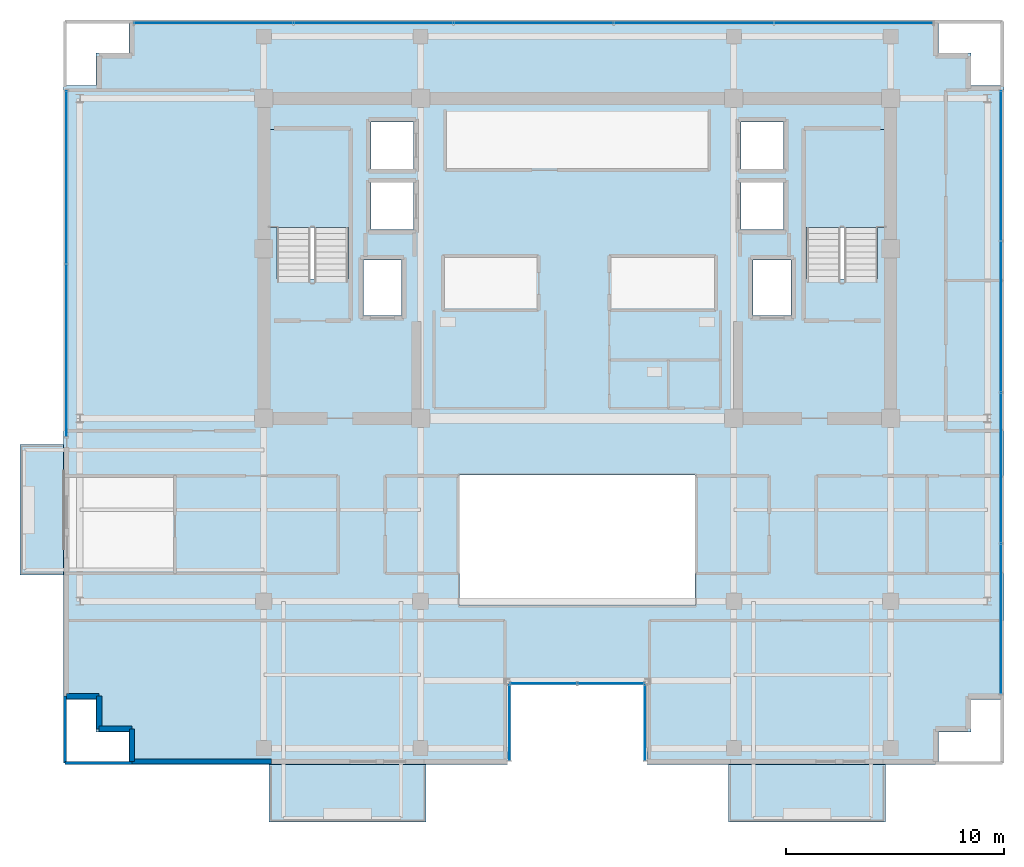
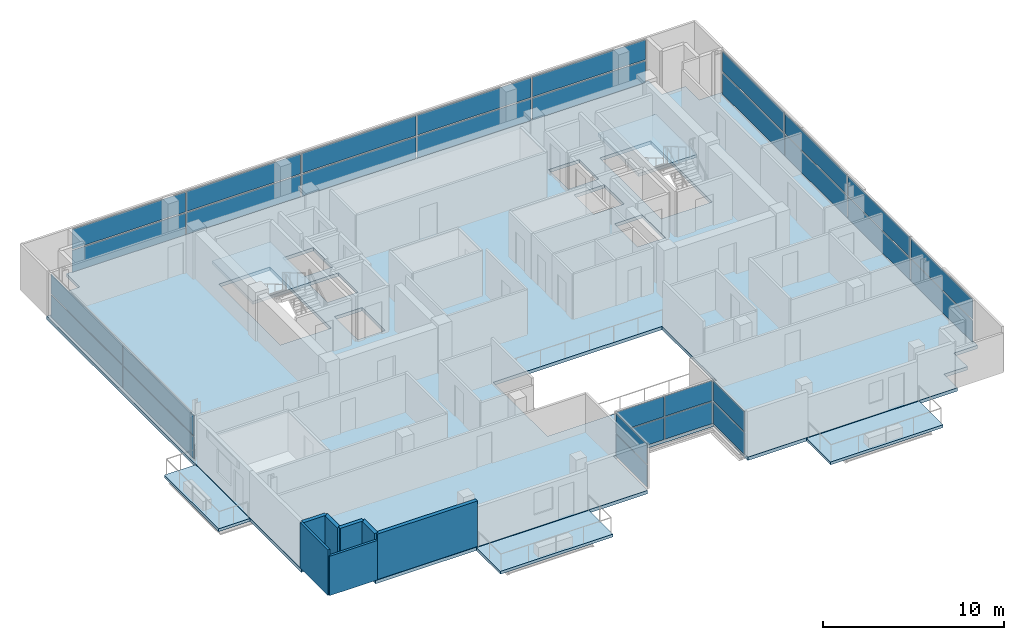
# One storey, part 14 of 22: 30 plates, 7 walls, 6 slabs, 8 elements without a shape of their own.
"""IFC4 building model written with IfcOpenShell, lengths in metres."""

from ifc_helpers import new_model, si_unit, direction, frame, frame_2d, origin, origin_2d, place, context, subcontext, project, spatial, polyline, rectangle, outline, extrude, source, transform, mapped, material, layer, layer_set, type_object, element, aggregate, save


model = new_model("IFC4")

# Units and contexts
model_context = context("Model", 3, precision=1e-05, world=origin(), true_north=direction((0.0, 1.0)))
body_context = subcontext(model_context, "Body", "Model", "MODEL_VIEW")
ifc_project = project(units=[si_unit("LENGTHUNIT", "METRE"), si_unit("AREAUNIT", "SQUARE_METRE"), si_unit("VOLUMEUNIT", "CUBIC_METRE"), si_unit("PLANEANGLEUNIT", "RADIAN"), si_unit("MASSUNIT", "GRAM", prefix="KILO")], contexts=[model_context])

# Site, building, storey
site_placement = place(None, origin())
site = spatial("IfcSite", under=ifc_project, at=site_placement, CompositionType="ELEMENT")
building_placement = place(site_placement, origin())
building = spatial("IfcBuilding", under=site, at=building_placement, Name="Zarnakvel Exchange Tower", CompositionType="ELEMENT")
storey_placement = place(building_placement, frame((0.0, 0.0, 215.5)))
storey = spatial("IfcBuildingStorey", under=building, at=storey_placement, Name="L60", CompositionType="ELEMENT", Elevation=215.5)

# Stair, slab
ifc_material_1 = material(Name="Concrete C40/50", Category="concrete")
stair_type = type_object("IfcStairType", Name="STR-01", PredefinedType="HALF_TURN_STAIR", material=ifc_material_1)
stair_1_placement = place(storey_placement, origin())
stair_1 = element("IfcStair", 1, at=stair_1_placement, inside=storey, type_object=stair_type, Name="L60 Protected Core Exit Stair ST-01", PredefinedType="HALF_TURN_STAIR")
ifc_layer_1 = layer(ifc_material_1, 0.199951171875)
ifc_layer_set_1 = layer_set([ifc_layer_1], Name="Concrete C40/50")
slab_type_1 = type_object("IfcSlabType", Name="LDG-01", PredefinedType="LANDING", material=ifc_layer_set_1)
slab_1_placement = place(storey_placement, frame((0.0, 0.0, 1.449951171875)))
slab_1 = element("IfcSlab", 2, at=slab_1_placement, type_object=slab_type_1, Name="ST-01 landing 1", PredefinedType="LANDING", context=body_context, shape_type="SweptSolid", body=[
    extrude(outline(polyline([(-14.18994140625, 7.570068359375), (-10.4599609375, 7.570068359375), (-10.4599609375, 12.080078125), (-14.18994140625, 12.080078125), (-14.18994140625, 7.570068359375)])), origin(), (0.0, 0.0, 1.0), 0.199951171875),
])
aggregate(stair_1, [slab_1])

stair_2_placement = place(storey_placement, origin())
stair_2 = element("IfcStair", 3, at=stair_2_placement, inside=storey, type_object=stair_type, Name="L60 Protected Core Exit Stair ST-02", PredefinedType="HALF_TURN_STAIR")
slab_2_placement = place(storey_placement, frame((0.0, 0.0, 1.449951171875)))
slab_2 = element("IfcSlab", 4, at=slab_2_placement, type_object=slab_type_1, Name="ST-02 landing 1", PredefinedType="LANDING", context=body_context, shape_type="SweptSolid", body=[
    extrude(outline(polyline([(10.4599609375, 7.570068359375), (14.18994140625, 7.570068359375), (14.18994140625, 12.080078125), (10.4599609375, 12.080078125), (10.4599609375, 7.570068359375)])), origin(), (0.0, 0.0, 1.0), 0.199951171875),
])
aggregate(stair_2, [slab_2])

# Slabs
ifc_layer_2 = layer(ifc_material_1, 0.22509765625)
ifc_layer_set_2 = layer_set([ifc_layer_2], Name="Concrete C40/50")
slab_type_2 = type_object("IfcSlabType", Name="SL-04", PredefinedType="FLOOR", material=ifc_layer_set_2)
slab_3_placement = place(storey_placement, frame((0.0, 0.0, -0.22509765625)))
element("IfcSlab", 5, at=slab_3_placement, inside=storey, type_object=slab_type_2, Name="L60 Primary Structural Floor Slab", PredefinedType="FLOOR", context=body_context, shape_type="SweptSolid", body=[
    extrude(outline(polyline([(-23.60009765625, -14.10009765625), (-22.10009765625, -14.10009765625), (-22.10009765625, -15.60009765625), (-20.60009765625, -15.60009765625), (-20.60009765625, -17.10009765625), (-3.199951171875, -17.10009765625), (-3.199951171875, -13.300048828125), (3.199951171875, -13.300048828125), (3.199951171875, -17.10009765625), (16.60009765625, -17.10009765625), (16.60009765625, -15.60009765625), (18.10009765625, -15.60009765625), (18.10009765625, -14.10009765625), (19.60009765625, -14.10009765625), (19.60009765625, 14.10009765625), (18.10009765625, 14.10009765625), (18.10009765625, 15.60009765625), (16.60009765625, 15.60009765625), (16.60009765625, 17.10009765625), (-20.60009765625, 17.10009765625), (-20.60009765625, 15.60009765625), (-22.10009765625, 15.60009765625), (-22.10009765625, 14.10009765625), (-23.60009765625, 14.10009765625), (-23.60009765625, -14.10009765625)]), holes=[polyline([(-5.39990234375, -9.800048828125), (5.39990234375, -9.800048828125), (5.39990234375, -3.800048828125), (-5.39990234375, -3.800048828125), (-5.39990234375, -9.800048828125)]), polyline([(-13.800048828125, 5.2099609375), (-10.5400390625, 5.2099609375), (-10.5400390625, 12.0), (-13.800048828125, 12.0), (-13.800048828125, 5.2099609375)]), polyline([(10.5400390625, 5.2099609375), (13.800048828125, 5.2099609375), (13.800048828125, 12.0), (10.5400390625, 12.0), (10.5400390625, 5.2099609375)]), polyline([(-9.830078125, 3.52001953125), (-8.070068359375, 3.52001953125), (-8.070068359375, 6.080078125), (-9.830078125, 6.080078125), (-9.830078125, 3.52001953125)]), polyline([(8.070068359375, 3.52001953125), (9.830078125, 3.52001953125), (9.830078125, 6.080078125), (8.070068359375, 6.080078125), (8.070068359375, 3.52001953125)]), polyline([(-9.47998046875, 7.469970703125), (-7.52001953125, 7.469970703125), (-7.52001953125, 9.6298828125), (-9.47998046875, 9.6298828125), (-9.47998046875, 7.469970703125)]), polyline([(-9.47998046875, 10.27001953125), (-7.52001953125, 10.27001953125), (-7.52001953125, 12.429931640625), (-9.47998046875, 12.429931640625), (-9.47998046875, 10.27001953125)]), polyline([(7.52001953125, 7.469970703125), (9.47998046875, 7.469970703125), (9.47998046875, 9.6298828125), (7.52001953125, 9.6298828125), (7.52001953125, 7.469970703125)]), polyline([(7.52001953125, 10.27001953125), (9.47998046875, 10.27001953125), (9.47998046875, 12.429931640625), (7.52001953125, 12.429931640625), (7.52001953125, 10.27001953125)])]), origin(), (0.0, 0.0, 1.0), 0.22509765625),
])
ifc_layer_3 = layer(ifc_material_1, 0.18994140625)
ifc_layer_set_3 = layer_set([ifc_layer_3], Name="Concrete C40/50")
slab_type_3 = type_object("IfcSlabType", Name="SL-08", PredefinedType="USERDEFINED", material=ifc_layer_set_3)
slab_4_placement = place(storey_placement, frame((0.0, 0.0, -0.22509765625)))
element("IfcSlab", 6, at=slab_4_placement, inside=storey, type_object=slab_type_3, Name="L60 Planted Loggia Balcony Slab BAL-L60-SW", ObjectType="BALCONY", PredefinedType="USERDEFINED", context=body_context, shape_type="SweptSolid", body=[
    extrude(outline(polyline([(-14.14990234375, -19.75), (-6.949951171875, -19.75), (-6.949951171875, -17.10009765625), (-14.14990234375, -17.10009765625), (-14.14990234375, -19.75)])), origin(), (0.0, 0.0, 1.0), 0.190185546875),
])
slab_5_placement = place(storey_placement, frame((0.0, 0.0, -0.22509765625)))
element("IfcSlab", 7, at=slab_5_placement, inside=storey, type_object=slab_type_3, Name="L60 Planted Loggia Balcony Slab BAL-L60-SE", ObjectType="BALCONY", PredefinedType="USERDEFINED", context=body_context, shape_type="SweptSolid", body=[
    extrude(outline(polyline([(6.949951171875, -19.75), (14.14990234375, -19.75), (14.14990234375, -17.10009765625), (6.949951171875, -17.10009765625), (6.949951171875, -19.75)])), origin(), (0.0, 0.0, 1.0), 0.190185546875),
])
slab_6_placement = place(storey_placement, frame((0.0, 0.0, -0.22509765625)))
element("IfcSlab", 8, at=slab_6_placement, inside=storey, type_object=slab_type_3, Name="L60 Planted Loggia Balcony Slab BAL-L60-W", ObjectType="BALCONY", PredefinedType="USERDEFINED", context=body_context, shape_type="SweptSolid", body=[
    extrude(outline(polyline([(-25.60009765625, -8.39990234375), (-23.60009765625, -8.39990234375), (-23.60009765625, -2.39990234375), (-25.60009765625, -2.39990234375), (-25.60009765625, -8.39990234375)])), origin(), (0.0, 0.0, 1.0), 0.190185546875),
])

# Curtain wall, plate
ifc_material_2 = material(Name="Architectural Bronze Anodised Aluminium", Category="aluminium")
ifc_layer_4 = layer(ifc_material_2, 0.179931640625)
ifc_layer_set_4 = layer_set([ifc_layer_4], Name="Architectural Bronze Anodised Aluminium")
curtain_wall_type_1 = type_object("IfcCurtainWallType", Name="CW-05", PredefinedType="NOTDEFINED", material=ifc_layer_set_4)
curtain_wall_1_placement = place(storey_placement, origin())
curtain_wall_1 = element("IfcCurtainWall", 9, at=curtain_wall_1_placement, inside=storey, type_object=curtain_wall_type_1, Name="L60 Curtain Wall CW-L60-SLW (CW-05)", PredefinedType="NOTDEFINED")
ifc_material_3 = material(Name="Double Low-E Laminated Vision Glass", Category="glass")
ifc_layer_5 = layer(ifc_material_3, 0.02587890625)
ifc_layer_set_5 = layer_set([ifc_layer_5], Name="Double Low-E Laminated Vision Glass")
plate_type_1 = type_object("IfcPlateType", Name="CWP-05", PredefinedType="CURTAIN_PANEL", material=ifc_layer_set_5)
shared_shape_1 = source(origin(), body_context, "Body", "SweptSolid", [
    extrude(rectangle(XDim=3.4599609375, YDim=0.02587890625, at=origin_2d()), origin(), (0.0, 0.0, 1.0), 1.483642578125),
])
plate_1_placement = place(storey_placement, frame((-3.1201171875, -15.179931640625, 0.06982421875), z_axis=(0.0, 0.0, 1.0), x_axis=(0.0, 1.0, 0.0)))
plate_1 = element("IfcPlate", 10, at=plate_1_placement, type_object=plate_type_1, Name="CW-05 panel 1.1", PredefinedType="CURTAIN_PANEL", context=body_context, shape_type="MappedRepresentation", body=[
    mapped(shared_shape_1, transform((0.0, 0.0, 0.0), x_axis=(1.0, 0.0, 0.0), y_axis=(0.0, 1.0, 0.0), z_axis=(0.0, 0.0, 1.0), scale=1.0)),
])

curtain_wall_2_placement = place(storey_placement, origin())
curtain_wall_2 = element("IfcCurtainWall", 11, at=curtain_wall_2_placement, inside=storey, type_object=curtain_wall_type_1, Name="L60 Curtain Wall CW-L60-SLE (CW-05)", PredefinedType="NOTDEFINED")
plate_2_placement = place(storey_placement, frame((3.1201171875, -15.179931640625, 0.06982421875), z_axis=(0.0, 0.0, 1.0), x_axis=(0.0, -1.0, 0.0)))
plate_2 = element("IfcPlate", 12, at=plate_2_placement, type_object=plate_type_1, Name="CW-05 panel 1.1", PredefinedType="CURTAIN_PANEL", context=body_context, shape_type="MappedRepresentation", body=[
    mapped(shared_shape_1, transform((0.0, 0.0, 0.0), x_axis=(1.0, 0.0, 0.0), y_axis=(0.0, 1.0, 0.0), z_axis=(0.0, 0.0, 1.0), scale=1.0)),
])

# Plate
shared_shape_2 = source(origin(), body_context, "Body", "SweptSolid", [
    extrude(rectangle(XDim=3.4599609375, YDim=0.02587890625, at=origin_2d()), origin(), (0.0, 0.0, 1.0), 1.361328125),
])
plate_3_placement = place(storey_placement, frame((-3.1201171875, -15.179931640625, 1.62353515625), z_axis=(0.0, 0.0, 1.0), x_axis=(0.0, 1.0, 0.0)))
plate_3 = element("IfcPlate", 13, at=plate_3_placement, type_object=plate_type_1, Name="CW-05 panel 1.2", PredefinedType="CURTAIN_PANEL", context=body_context, shape_type="MappedRepresentation", body=[
    mapped(shared_shape_2, transform((0.0, 0.0, 0.0), x_axis=(1.0, 0.0, 0.0), y_axis=(0.0, 1.0, 0.0), z_axis=(0.0, 0.0, 1.0), scale=1.0)),
])

aggregate(curtain_wall_1, [plate_1, plate_3])

plate_4_placement = place(storey_placement, frame((3.1201171875, -15.179931640625, 1.62353515625), z_axis=(0.0, 0.0, 1.0), x_axis=(0.0, -1.0, 0.0)))
plate_4 = element("IfcPlate", 14, at=plate_4_placement, type_object=plate_type_1, Name="CW-05 panel 1.2", PredefinedType="CURTAIN_PANEL", context=body_context, shape_type="MappedRepresentation", body=[
    mapped(shared_shape_2, transform((0.0, 0.0, 0.0), x_axis=(1.0, 0.0, 0.0), y_axis=(0.0, 1.0, 0.0), z_axis=(0.0, 0.0, 1.0), scale=1.0)),
])

aggregate(curtain_wall_2, [plate_2, plate_4])

# Curtain wall, plates
curtain_wall_3_placement = place(storey_placement, origin())
curtain_wall_3 = element("IfcCurtainWall", 15, at=curtain_wall_3_placement, inside=storey, type_object=curtain_wall_type_1, Name="L60 Curtain Wall CW-L60-SLB (CW-05)", PredefinedType="NOTDEFINED")
shared_shape_3 = source(origin(), body_context, "Body", "SweptSolid", [
    extrude(rectangle(XDim=3.014892578125, YDim=0.02587890625, at=origin_2d()), origin(), (0.0, 0.0, 1.0), 1.483642578125),
])
plate_5_placement = place(storey_placement, frame((-1.54248046875, -13.3798828125, 0.06982421875), z_axis=(0.0, 0.0, 1.0), x_axis=(1.0, 0.0, 0.0)))
plate_5 = element("IfcPlate", 16, at=plate_5_placement, type_object=plate_type_1, Name="CW-05 panel 1.1", PredefinedType="CURTAIN_PANEL", context=body_context, shape_type="MappedRepresentation", body=[
    mapped(shared_shape_3, transform((0.0, 0.0, 0.0), x_axis=(1.0, 0.0, 0.0), y_axis=(0.0, 1.0, 0.0), z_axis=(0.0, 0.0, 1.0), scale=1.0)),
])
plate_6_placement = place(storey_placement, frame((1.54248046875, -13.3798828125, 0.06982421875), z_axis=(0.0, 0.0, 1.0), x_axis=(1.0, 0.0, 0.0)))
plate_6 = element("IfcPlate", 17, at=plate_6_placement, type_object=plate_type_1, Name="CW-05 panel 2.1", PredefinedType="CURTAIN_PANEL", context=body_context, shape_type="MappedRepresentation", body=[
    mapped(shared_shape_3, transform((0.0, 0.0, 0.0), x_axis=(1.0, 0.0, 0.0), y_axis=(0.0, 1.0, 0.0), z_axis=(0.0, 0.0, 1.0), scale=1.0)),
])
shared_shape_4 = source(origin(), body_context, "Body", "SweptSolid", [
    extrude(rectangle(XDim=3.014892578125, YDim=0.02587890625, at=origin_2d()), origin(), (0.0, 0.0, 1.0), 1.361328125),
])
plate_7_placement = place(storey_placement, frame((-1.54248046875, -13.3798828125, 1.62353515625), z_axis=(0.0, 0.0, 1.0), x_axis=(1.0, 0.0, 0.0)))
plate_7 = element("IfcPlate", 18, at=plate_7_placement, type_object=plate_type_1, Name="CW-05 panel 1.2", PredefinedType="CURTAIN_PANEL", context=body_context, shape_type="MappedRepresentation", body=[
    mapped(shared_shape_4, transform((0.0, 0.0, 0.0), x_axis=(1.0, 0.0, 0.0), y_axis=(0.0, 1.0, 0.0), z_axis=(0.0, 0.0, 1.0), scale=1.0)),
])
plate_8_placement = place(storey_placement, frame((1.54248046875, -13.3798828125, 1.62353515625), z_axis=(0.0, 0.0, 1.0), x_axis=(1.0, 0.0, 0.0)))
plate_8 = element("IfcPlate", 19, at=plate_8_placement, type_object=plate_type_1, Name="CW-05 panel 2.2", PredefinedType="CURTAIN_PANEL", context=body_context, shape_type="MappedRepresentation", body=[
    mapped(shared_shape_4, transform((0.0, 0.0, 0.0), x_axis=(1.0, 0.0, 0.0), y_axis=(0.0, 1.0, 0.0), z_axis=(0.0, 0.0, 1.0), scale=1.0)),
])
aggregate(curtain_wall_3, [plate_5, plate_7, plate_6, plate_8])

ifc_layer_6 = layer(ifc_material_2, 0.199951171875)
ifc_layer_set_6 = layer_set([ifc_layer_6], Name="Architectural Bronze Anodised Aluminium")
curtain_wall_type_2 = type_object("IfcCurtainWallType", Name="CW-04", PredefinedType="NOTDEFINED", material=ifc_layer_set_6)
curtain_wall_4_placement = place(storey_placement, origin())
curtain_wall_4 = element("IfcCurtainWall", 20, at=curtain_wall_4_placement, inside=storey, type_object=curtain_wall_type_2, Name="L60 Curtain Wall CW-L60-E1 (CW-04)", PredefinedType="NOTDEFINED")
ifc_layer_7 = layer(ifc_material_3, 0.028076171875)
ifc_layer_set_7 = layer_set([ifc_layer_7], Name="Double Low-E Laminated Vision Glass")
plate_type_2 = type_object("IfcPlateType", Name="CWP-04", PredefinedType="CURTAIN_PANEL", material=ifc_layer_set_7)
shared_shape_5 = source(origin(), body_context, "Body", "SweptSolid", [
    extrude(rectangle(XDim=6.83740234375, YDim=0.028076171875, at=origin_2d()), origin(), (0.0, 0.0, 1.0), 1.47607421875),
])
plate_9_placement = place(storey_placement, frame((19.4599609375, -10.40625, 0.074951171875), z_axis=(0.0, 0.0, 1.0), x_axis=(0.0, 1.0, 0.0)))
plate_9 = element("IfcPlate", 21, at=plate_9_placement, type_object=plate_type_2, Name="CW-04 panel 1.1", PredefinedType="CURTAIN_PANEL", context=body_context, shape_type="MappedRepresentation", body=[
    mapped(shared_shape_5, transform((0.0, 0.0, 0.0), x_axis=(1.0, 0.0, 0.0), y_axis=(0.0, 1.0, 0.0), z_axis=(0.0, 0.0, 1.0), scale=1.0)),
])
plate_10_placement = place(storey_placement, frame((19.4599609375, 10.40625, 0.074951171875), z_axis=(0.0, 0.0, 1.0), x_axis=(0.0, 1.0, 0.0)))
plate_10 = element("IfcPlate", 22, at=plate_10_placement, type_object=plate_type_2, Name="CW-04 panel 4.1", PredefinedType="CURTAIN_PANEL", context=body_context, shape_type="MappedRepresentation", body=[
    mapped(shared_shape_5, transform((0.0, 0.0, 0.0), x_axis=(1.0, 0.0, 0.0), y_axis=(0.0, 1.0, 0.0), z_axis=(0.0, 0.0, 1.0), scale=1.0)),
])
shared_shape_6 = source(origin(), body_context, "Body", "SweptSolid", [
    extrude(rectangle(XDim=6.83740234375, YDim=0.028076171875, at=origin_2d()), origin(), (0.0, 0.0, 1.0), 1.35400390625),
])
plate_11_placement = place(storey_placement, frame((19.4599609375, -10.40625, 1.6259765625), z_axis=(0.0, 0.0, 1.0), x_axis=(0.0, 1.0, 0.0)))
plate_11 = element("IfcPlate", 23, at=plate_11_placement, type_object=plate_type_2, Name="CW-04 panel 1.2", PredefinedType="CURTAIN_PANEL", context=body_context, shape_type="MappedRepresentation", body=[
    mapped(shared_shape_6, transform((0.0, 0.0, 0.0), x_axis=(1.0, 0.0, 0.0), y_axis=(0.0, 1.0, 0.0), z_axis=(0.0, 0.0, 1.0), scale=1.0)),
])
plate_12_placement = place(storey_placement, frame((19.4599609375, 10.40625, 1.6259765625), z_axis=(0.0, 0.0, 1.0), x_axis=(0.0, 1.0, 0.0)))
plate_12 = element("IfcPlate", 24, at=plate_12_placement, type_object=plate_type_2, Name="CW-04 panel 4.2", PredefinedType="CURTAIN_PANEL", context=body_context, shape_type="MappedRepresentation", body=[
    mapped(shared_shape_6, transform((0.0, 0.0, 0.0), x_axis=(1.0, 0.0, 0.0), y_axis=(0.0, 1.0, 0.0), z_axis=(0.0, 0.0, 1.0), scale=1.0)),
])
shared_shape_7 = source(origin(), body_context, "Body", "SweptSolid", [
    extrude(rectangle(XDim=6.875, YDim=0.028076171875, at=origin_2d()), origin(), (0.0, 0.0, 1.0), 1.47607421875),
])
plate_13_placement = place(storey_placement, frame((19.4599609375, -3.47509765625, 0.074951171875), z_axis=(0.0, 0.0, 1.0), x_axis=(0.0, 1.0, 0.0)))
plate_13 = element("IfcPlate", 25, at=plate_13_placement, type_object=plate_type_2, Name="CW-04 panel 2.1", PredefinedType="CURTAIN_PANEL", context=body_context, shape_type="MappedRepresentation", body=[
    mapped(shared_shape_7, transform((0.0, 0.0, 0.0), x_axis=(1.0, 0.0, 0.0), y_axis=(0.0, 1.0, 0.0), z_axis=(0.0, 0.0, 1.0), scale=1.0)),
])
plate_14_placement = place(storey_placement, frame((19.4599609375, 3.47509765625, 0.074951171875), z_axis=(0.0, 0.0, 1.0), x_axis=(0.0, 1.0, 0.0)))
plate_14 = element("IfcPlate", 26, at=plate_14_placement, type_object=plate_type_2, Name="CW-04 panel 3.1", PredefinedType="CURTAIN_PANEL", context=body_context, shape_type="MappedRepresentation", body=[
    mapped(shared_shape_7, transform((0.0, 0.0, 0.0), x_axis=(1.0, 0.0, 0.0), y_axis=(0.0, 1.0, 0.0), z_axis=(0.0, 0.0, 1.0), scale=1.0)),
])
shared_shape_8 = source(origin(), body_context, "Body", "SweptSolid", [
    extrude(rectangle(XDim=6.875, YDim=0.028076171875, at=origin_2d()), origin(), (0.0, 0.0, 1.0), 1.35400390625),
])
plate_15_placement = place(storey_placement, frame((19.4599609375, -3.47509765625, 1.6259765625), z_axis=(0.0, 0.0, 1.0), x_axis=(0.0, 1.0, 0.0)))
plate_15 = element("IfcPlate", 27, at=plate_15_placement, type_object=plate_type_2, Name="CW-04 panel 2.2", PredefinedType="CURTAIN_PANEL", context=body_context, shape_type="MappedRepresentation", body=[
    mapped(shared_shape_8, transform((0.0, 0.0, 0.0), x_axis=(1.0, 0.0, 0.0), y_axis=(0.0, 1.0, 0.0), z_axis=(0.0, 0.0, 1.0), scale=1.0)),
])
plate_16_placement = place(storey_placement, frame((19.4599609375, 3.47509765625, 1.6259765625), z_axis=(0.0, 0.0, 1.0), x_axis=(0.0, 1.0, 0.0)))
plate_16 = element("IfcPlate", 28, at=plate_16_placement, type_object=plate_type_2, Name="CW-04 panel 3.2", PredefinedType="CURTAIN_PANEL", context=body_context, shape_type="MappedRepresentation", body=[
    mapped(shared_shape_8, transform((0.0, 0.0, 0.0), x_axis=(1.0, 0.0, 0.0), y_axis=(0.0, 1.0, 0.0), z_axis=(0.0, 0.0, 1.0), scale=1.0)),
])
aggregate(curtain_wall_4, [plate_9, plate_11, plate_13, plate_15, plate_14, plate_16, plate_10, plate_12])

curtain_wall_5_placement = place(storey_placement, origin())
curtain_wall_5 = element("IfcCurtainWall", 29, at=curtain_wall_5_placement, inside=storey, type_object=curtain_wall_type_2, Name="L60 Curtain Wall CW-L60-WN (CW-04)", PredefinedType="NOTDEFINED")
shared_shape_9 = source(origin(), body_context, "Body", "SweptSolid", [
    extrude(rectangle(XDim=7.887451171875, YDim=0.028076171875, at=origin_2d()), origin(), (0.0, 0.0, 1.0), 1.47607421875),
])
plate_17_placement = place(storey_placement, frame((-23.4599609375, 1.918701171875, 0.074951171875), z_axis=(0.0, 0.0, 1.0), x_axis=(0.0, 1.0, 0.0)))
plate_17 = element("IfcPlate", 30, at=plate_17_placement, type_object=plate_type_2, Name="CW-04 panel 1.1", PredefinedType="CURTAIN_PANEL", context=body_context, shape_type="MappedRepresentation", body=[
    mapped(shared_shape_9, transform((0.0, 0.0, 0.0), x_axis=(1.0, 0.0, 0.0), y_axis=(0.0, 1.0, 0.0), z_axis=(0.0, 0.0, 1.0), scale=1.0)),
])
plate_18_placement = place(storey_placement, frame((-23.4599609375, 9.88134765625, 0.074951171875), z_axis=(0.0, 0.0, 1.0), x_axis=(0.0, 1.0, 0.0)))
plate_18 = element("IfcPlate", 31, at=plate_18_placement, type_object=plate_type_2, Name="CW-04 panel 2.1", PredefinedType="CURTAIN_PANEL", context=body_context, shape_type="MappedRepresentation", body=[
    mapped(shared_shape_9, transform((0.0, 0.0, 0.0), x_axis=(1.0, 0.0, 0.0), y_axis=(0.0, 1.0, 0.0), z_axis=(0.0, 0.0, 1.0), scale=1.0)),
])
shared_shape_10 = source(origin(), body_context, "Body", "SweptSolid", [
    extrude(rectangle(XDim=7.887451171875, YDim=0.028076171875, at=origin_2d()), origin(), (0.0, 0.0, 1.0), 1.35400390625),
])
plate_19_placement = place(storey_placement, frame((-23.4599609375, 1.918701171875, 1.6259765625), z_axis=(0.0, 0.0, 1.0), x_axis=(0.0, 1.0, 0.0)))
plate_19 = element("IfcPlate", 32, at=plate_19_placement, type_object=plate_type_2, Name="CW-04 panel 1.2", PredefinedType="CURTAIN_PANEL", context=body_context, shape_type="MappedRepresentation", body=[
    mapped(shared_shape_10, transform((0.0, 0.0, 0.0), x_axis=(1.0, 0.0, 0.0), y_axis=(0.0, 1.0, 0.0), z_axis=(0.0, 0.0, 1.0), scale=1.0)),
])
plate_20_placement = place(storey_placement, frame((-23.4599609375, 9.88134765625, 1.6259765625), z_axis=(0.0, 0.0, 1.0), x_axis=(0.0, 1.0, 0.0)))
plate_20 = element("IfcPlate", 33, at=plate_20_placement, type_object=plate_type_2, Name="CW-04 panel 2.2", PredefinedType="CURTAIN_PANEL", context=body_context, shape_type="MappedRepresentation", body=[
    mapped(shared_shape_10, transform((0.0, 0.0, 0.0), x_axis=(1.0, 0.0, 0.0), y_axis=(0.0, 1.0, 0.0), z_axis=(0.0, 0.0, 1.0), scale=1.0)),
])
aggregate(curtain_wall_5, [plate_17, plate_19, plate_18, plate_20])

ifc_layer_8 = layer(ifc_material_2, 0.219970703125)
ifc_layer_set_8 = layer_set([ifc_layer_8], Name="Architectural Bronze Anodised Aluminium")
curtain_wall_type_3 = type_object("IfcCurtainWallType", Name="CW-03", PredefinedType="NOTDEFINED", material=ifc_layer_set_8)
curtain_wall_6_placement = place(storey_placement, origin())
curtain_wall_6 = element("IfcCurtainWall", 34, at=curtain_wall_6_placement, inside=storey, type_object=curtain_wall_type_3, Name="L60 Curtain Wall CW-L60-N1 (CW-03)", PredefinedType="NOTDEFINED")
ifc_layer_9 = layer(ifc_material_3, 0.030029296875)
ifc_layer_set_9 = layer_set([ifc_layer_9], Name="Double Low-E Laminated Vision Glass")
plate_type_3 = type_object("IfcPlateType", Name="CWP-03", PredefinedType="CURTAIN_PANEL", material=ifc_layer_set_9)
shared_shape_11 = source(origin(), body_context, "Body", "SweptSolid", [
    extrude(rectangle(XDim=7.239990234375, YDim=0.030029296875, at=origin_2d()), origin(), (0.0, 0.0, 1.0), 1.468505859375),
])
plate_21_placement = place(storey_placement, frame((-16.699951171875, 16.9599609375, 0.080078125), z_axis=(0.0, 0.0, 1.0), x_axis=(1.0, 0.0, 0.0)))
plate_21 = element("IfcPlate", 35, at=plate_21_placement, type_object=plate_type_3, Name="CW-03 panel 1.1", PredefinedType="CURTAIN_PANEL", context=body_context, shape_type="MappedRepresentation", body=[
    mapped(shared_shape_11, transform((0.0, 0.0, 0.0), x_axis=(1.0, 0.0, 0.0), y_axis=(0.0, 1.0, 0.0), z_axis=(0.0, 0.0, 1.0), scale=1.0)),
])
plate_22_placement = place(storey_placement, frame((12.699951171875, 16.9599609375, 0.080078125), z_axis=(0.0, 0.0, 1.0), x_axis=(1.0, 0.0, 0.0)))
plate_22 = element("IfcPlate", 36, at=plate_22_placement, type_object=plate_type_3, Name="CW-03 panel 5.1", PredefinedType="CURTAIN_PANEL", context=body_context, shape_type="MappedRepresentation", body=[
    mapped(shared_shape_11, transform((0.0, 0.0, 0.0), x_axis=(1.0, 0.0, 0.0), y_axis=(0.0, 1.0, 0.0), z_axis=(0.0, 0.0, 1.0), scale=1.0)),
])
shared_shape_12 = source(origin(), body_context, "Body", "SweptSolid", [
    extrude(rectangle(XDim=7.239990234375, YDim=0.030029296875, at=origin_2d()), origin(), (0.0, 0.0, 1.0), 1.346435546875),
])
plate_23_placement = place(storey_placement, frame((-16.699951171875, 16.9599609375, 1.62841796875), z_axis=(0.0, 0.0, 1.0), x_axis=(1.0, 0.0, 0.0)))
plate_23 = element("IfcPlate", 37, at=plate_23_placement, type_object=plate_type_3, Name="CW-03 panel 1.2", PredefinedType="CURTAIN_PANEL", context=body_context, shape_type="MappedRepresentation", body=[
    mapped(shared_shape_12, transform((0.0, 0.0, 0.0), x_axis=(1.0, 0.0, 0.0), y_axis=(0.0, 1.0, 0.0), z_axis=(0.0, 0.0, 1.0), scale=1.0)),
])
plate_24_placement = place(storey_placement, frame((12.699951171875, 16.9599609375, 1.62841796875), z_axis=(0.0, 0.0, 1.0), x_axis=(1.0, 0.0, 0.0)))
plate_24 = element("IfcPlate", 38, at=plate_24_placement, type_object=plate_type_3, Name="CW-03 panel 5.2", PredefinedType="CURTAIN_PANEL", context=body_context, shape_type="MappedRepresentation", body=[
    mapped(shared_shape_12, transform((0.0, 0.0, 0.0), x_axis=(1.0, 0.0, 0.0), y_axis=(0.0, 1.0, 0.0), z_axis=(0.0, 0.0, 1.0), scale=1.0)),
])
shared_shape_13 = source(origin(), body_context, "Body", "SweptSolid", [
    extrude(rectangle(XDim=7.280029296875, YDim=0.030029296875, at=origin_2d()), origin(), (0.0, 0.0, 1.0), 1.468505859375),
])
plate_25_placement = place(storey_placement, frame((-9.360107421875, 16.9599609375, 0.080078125), z_axis=(0.0, 0.0, 1.0), x_axis=(1.0, 0.0, 0.0)))
plate_25 = element("IfcPlate", 39, at=plate_25_placement, type_object=plate_type_3, Name="CW-03 panel 2.1", PredefinedType="CURTAIN_PANEL", context=body_context, shape_type="MappedRepresentation", body=[
    mapped(shared_shape_13, transform((0.0, 0.0, 0.0), x_axis=(1.0, 0.0, 0.0), y_axis=(0.0, 1.0, 0.0), z_axis=(0.0, 0.0, 1.0), scale=1.0)),
])
plate_26_placement = place(storey_placement, frame((-2.0, 16.9599609375, 0.080078125), z_axis=(0.0, 0.0, 1.0), x_axis=(1.0, 0.0, 0.0)))
plate_26 = element("IfcPlate", 40, at=plate_26_placement, type_object=plate_type_3, Name="CW-03 panel 3.1", PredefinedType="CURTAIN_PANEL", context=body_context, shape_type="MappedRepresentation", body=[
    mapped(shared_shape_13, transform((0.0, 0.0, 0.0), x_axis=(1.0, 0.0, 0.0), y_axis=(0.0, 1.0, 0.0), z_axis=(0.0, 0.0, 1.0), scale=1.0)),
])
plate_27_placement = place(storey_placement, frame((5.360107421875, 16.9599609375, 0.080078125), z_axis=(0.0, 0.0, 1.0), x_axis=(1.0, 0.0, 0.0)))
plate_27 = element("IfcPlate", 41, at=plate_27_placement, type_object=plate_type_3, Name="CW-03 panel 4.1", PredefinedType="CURTAIN_PANEL", context=body_context, shape_type="MappedRepresentation", body=[
    mapped(shared_shape_13, transform((0.0, 0.0, 0.0), x_axis=(1.0, 0.0, 0.0), y_axis=(0.0, 1.0, 0.0), z_axis=(0.0, 0.0, 1.0), scale=1.0)),
])
shared_shape_14 = source(origin(), body_context, "Body", "SweptSolid", [
    extrude(rectangle(XDim=7.280029296875, YDim=0.030029296875, at=origin_2d()), origin(), (0.0, 0.0, 1.0), 1.346435546875),
])
plate_28_placement = place(storey_placement, frame((-9.360107421875, 16.9599609375, 1.62841796875), z_axis=(0.0, 0.0, 1.0), x_axis=(1.0, 0.0, 0.0)))
plate_28 = element("IfcPlate", 42, at=plate_28_placement, type_object=plate_type_3, Name="CW-03 panel 2.2", PredefinedType="CURTAIN_PANEL", context=body_context, shape_type="MappedRepresentation", body=[
    mapped(shared_shape_14, transform((0.0, 0.0, 0.0), x_axis=(1.0, 0.0, 0.0), y_axis=(0.0, 1.0, 0.0), z_axis=(0.0, 0.0, 1.0), scale=1.0)),
])
plate_29_placement = place(storey_placement, frame((-2.0, 16.9599609375, 1.62841796875), z_axis=(0.0, 0.0, 1.0), x_axis=(1.0, 0.0, 0.0)))
plate_29 = element("IfcPlate", 43, at=plate_29_placement, type_object=plate_type_3, Name="CW-03 panel 3.2", PredefinedType="CURTAIN_PANEL", context=body_context, shape_type="MappedRepresentation", body=[
    mapped(shared_shape_14, transform((0.0, 0.0, 0.0), x_axis=(1.0, 0.0, 0.0), y_axis=(0.0, 1.0, 0.0), z_axis=(0.0, 0.0, 1.0), scale=1.0)),
])
plate_30_placement = place(storey_placement, frame((5.360107421875, 16.9599609375, 1.62841796875), z_axis=(0.0, 0.0, 1.0), x_axis=(1.0, 0.0, 0.0)))
plate_30 = element("IfcPlate", 44, at=plate_30_placement, type_object=plate_type_3, Name="CW-03 panel 4.2", PredefinedType="CURTAIN_PANEL", context=body_context, shape_type="MappedRepresentation", body=[
    mapped(shared_shape_14, transform((0.0, 0.0, 0.0), x_axis=(1.0, 0.0, 0.0), y_axis=(0.0, 1.0, 0.0), z_axis=(0.0, 0.0, 1.0), scale=1.0)),
])
aggregate(curtain_wall_6, [plate_21, plate_23, plate_25, plate_28, plate_26, plate_29, plate_27, plate_30, plate_22, plate_24])

# Walls
ifc_material_4 = material(Name="Precast concrete C40/50", Category="concrete")
ifc_layer_10 = layer(ifc_material_4, 0.239990234375)
ifc_layer_set_10 = layer_set([ifc_layer_10], Name="Precast concrete C40/50")
wall_type_1 = type_object("IfcWallType", Name="EW-02", PredefinedType="SOLIDWALL", material=ifc_layer_set_10)
wall_1_placement = place(storey_placement, frame((-20.4599609375, -16.9599609375, 0.0), z_axis=(0.0, 0.0, 1.0), x_axis=(1.0, 0.0, 0.0)))
element("IfcWall", 45, at=wall_1_placement, inside=storey, type_object=wall_type_1, Name="L60 Exterior Precast Spandrel Wall EWC-L60-22 (EW-02)", PredefinedType="SOLIDWALL", context=body_context, shape_type="SweptSolid", body=[
    extrude(rectangle(XDim=6.409912109375, YDim=0.239990234375, at=frame_2d((3.205078125, 0.0))), origin(), (0.0, 0.0, 1.0), 3.074951171875),
])
for number, where, z_axis, x_axis, name in (
    (46, (-20.4599609375, -15.4599609375, 0.0), (0.0, 0.0, 1.0), (0.0, -1.0, 0.0), "L60 Exterior Precast Spandrel Wall EWC-L60-23 (EW-02)"),
    (47, (-21.9599609375, -15.4599609375, 0.0), (0.0, 0.0, 1.0), (1.0, 0.0, 0.0), "L60 Exterior Precast Spandrel Wall EWC-L60-24 (EW-02)"),
    (48, (-21.9599609375, -13.9599609375, 0.0), (0.0, 0.0, 1.0), (0.0, -1.0, 0.0), "L60 Exterior Precast Spandrel Wall EWC-L60-25 (EW-02)"),
    (49, (-23.4599609375, -13.9599609375, 0.0), (0.0, 0.0, 1.0), (1.0, 0.0, 0.0), "L60 Exterior Precast Spandrel Wall EWC-L60-26 (EW-02)"),
):
    element("IfcWall", number, at=place(storey_placement, frame(where, z_axis=z_axis, x_axis=x_axis)), inside=storey, type_object=wall_type_1, Name=name, PredefinedType="SOLIDWALL", context=body_context, shape_type="SweptSolid", body=[
        extrude(rectangle(XDim=1.5, YDim=0.239990234375, at=frame_2d((0.75, 0.0))), origin(), (0.0, 0.0, 1.0), 3.074951171875),
    ])
ifc_material_5 = material(Name="Fire-Rated Gypsum Stud Partition", Category="gypsum")
ifc_layer_11 = layer(ifc_material_5, 0.14990234375)
ifc_layer_set_11 = layer_set([ifc_layer_11], Name="Fire-Rated Gypsum Stud Partition")
wall_type_2 = type_object("IfcWallType", Name="PT-01", PredefinedType="PARTITIONING", material=ifc_layer_set_11)
wall_2_placement = place(storey_placement, frame((-20.4599609375, -17.030029296875, 0.0), z_axis=(0.0, 0.0, 1.0), x_axis=(-1.0, 0.0, 0.0)))
element("IfcWall", 50, at=wall_2_placement, inside=storey, type_object=wall_type_2, Name="L60 Partition Wall PWALL-L60-040 (PT-01)", PredefinedType="PARTITIONING", context=body_context, shape_type="SweptSolid", body=[
    extrude(rectangle(XDim=3.070068359375, YDim=0.14990234375, at=frame_2d((1.53515625, 0.0))), origin(), (0.0, 0.0, 1.0), 2.6650390625),
])
wall_3_placement = place(storey_placement, frame((-23.530029296875, -17.030029296875, 0.0), z_axis=(0.0, 0.0, 1.0), x_axis=(0.0, 1.0, 0.0)))
element("IfcWall", 51, at=wall_3_placement, inside=storey, type_object=wall_type_2, Name="L60 Partition Wall PWALL-L60-042 (PT-01)", PredefinedType="PARTITIONING", context=body_context, shape_type="SweptSolid", body=[
    extrude(rectangle(XDim=3.070068359375, YDim=0.14990234375, at=frame_2d((1.53515625, 0.0))), origin(), (0.0, 0.0, 1.0), 3.074951171875),
])

save(model, "model.ifc")
